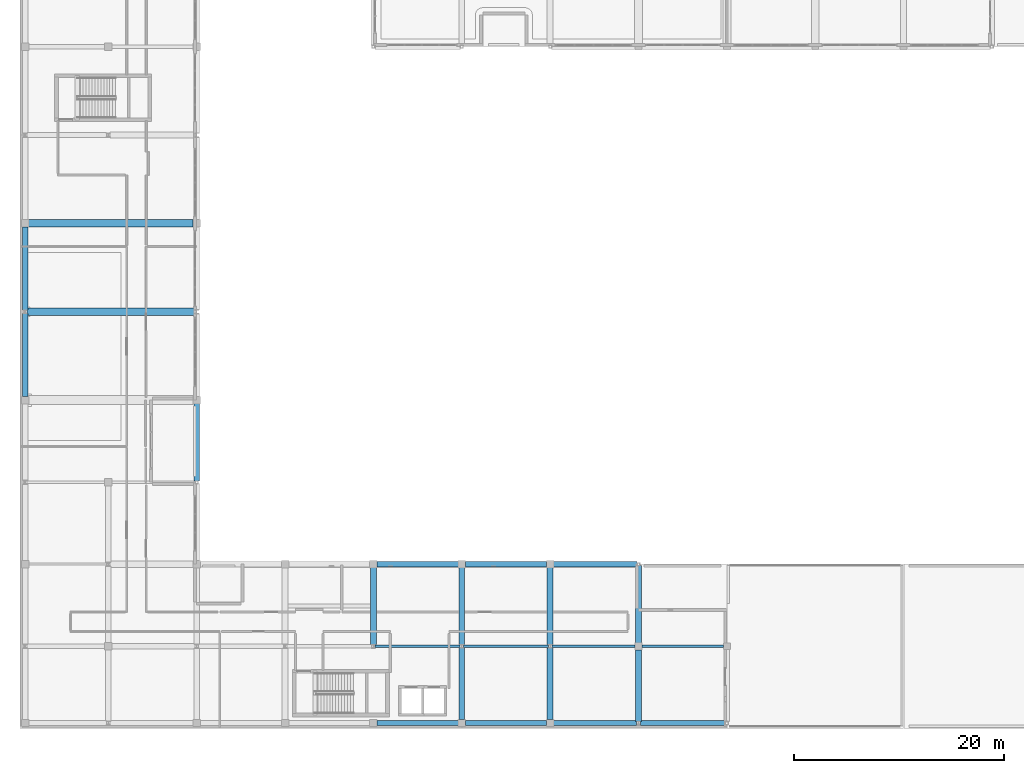
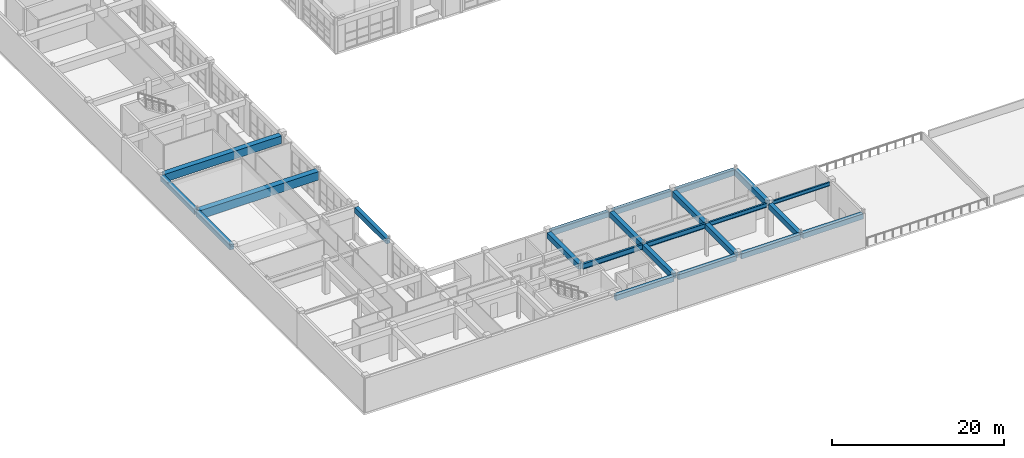
# One storey, part 16 of 78: 23 beams.
"""IFC4 building model written with IfcOpenShell, lengths in metres."""

from ifc_helpers import new_model, si_unit, direction, frame, origin, origin_2d, place, context, subcontext, project, spatial, rectangle, i_section, extrude, material, material_profile, profile_set, type_object, element, save


model = new_model("IFC4")

# Units and contexts
model_context = context("Model", 3, precision=1e-05, world=origin(), true_north=direction((0.0, 1.0)))
body_context = subcontext(model_context, "Body", "Model", "MODEL_VIEW")
ifc_project = project(units=[si_unit("LENGTHUNIT", "METRE"), si_unit("AREAUNIT", "SQUARE_METRE"), si_unit("VOLUMEUNIT", "CUBIC_METRE"), si_unit("PLANEANGLEUNIT", "RADIAN"), si_unit("MASSUNIT", "GRAM", prefix="KILO")], contexts=[model_context])

# Site, building, storey
site_placement = place(None, origin())
site = spatial("IfcSite", under=ifc_project, at=site_placement, CompositionType="ELEMENT")
building_placement = place(site_placement, origin())
building = spatial("IfcBuilding", under=site, at=building_placement, Name="Quendrovan Civic Courthouse", CompositionType="ELEMENT")
storey_placement = place(building_placement, frame((0.0, 0.0, 10.199951171875)))
storey = spatial("IfcBuildingStorey", under=building, at=storey_placement, Name="L03", CompositionType="ELEMENT", Elevation=10.199951171875)

# Beams
ifc_material_1 = material(Name="Post-tensioned concrete C50/60", Category="concrete")
ifc_material_profile_1 = material_profile(ifc_material_1, rectangle(XDim=0.699951171875, YDim=1.10009765625, at=origin_2d()), Name="PT-GIRD-700x1100")
ifc_profile_set_1 = profile_set([ifc_material_profile_1], Name="Post-tensioned concrete C50/60")
beam_type_1 = type_object("IfcBeamType", Name="BM-PT1100", PredefinedType="BEAM", material=ifc_profile_set_1)
beam_1_placement = place(storey_placement, frame((0.830078125, 48.0, 4.110107421875), z_axis=(1.0, 0.0, 0.0), x_axis=(0.0, 1.0, 0.0)))
element("IfcBeam", 1, at=beam_1_placement, inside=storey, type_object=beam_type_1, Name="L03 Girder X0741", PredefinedType="BEAM", context=body_context, shape_type="SweptSolid", body=[
    extrude(rectangle(XDim=0.699951171875, YDim=1.10009765625, at=origin_2d()), origin(), (0.0, 0.0, 1.0), 15.639892578125),
])
ifc_material_profile_2 = material_profile(ifc_material_1, rectangle(XDim=0.75, YDim=1.199951171875, at=origin_2d()), Name="PT-GIRD-750x1200")
ifc_profile_set_2 = profile_set([ifc_material_profile_2], Name="Post-tensioned concrete C50/60")
beam_type_2 = type_object("IfcBeamType", Name="BM-PT1200", PredefinedType="BEAM", material=ifc_profile_set_2)
beam_2_placement = place(storey_placement, frame((0.6669921875, 39.60009765625, 4.06005859375), z_axis=(1.0, 0.0, 0.0), x_axis=(0.0, 1.0, 0.0)))
element("IfcBeam", 2, at=beam_2_placement, inside=storey, type_object=beam_type_2, Name="L03 Girder X0740", PredefinedType="BEAM", context=body_context, shape_type="SweptSolid", body=[
    extrude(rectangle(XDim=0.75, YDim=1.199951171875, at=origin_2d()), origin(), (0.0, 0.0, 1.0), 15.966064453125),
])
ifc_material_2 = material(Name="Concrete C40/50", Category="concrete")
ifc_material_profile_3 = material_profile(ifc_material_2, rectangle(XDim=0.5, YDim=0.75, at=origin_2d()), Name="RC-BM-500x750")
ifc_profile_set_3 = profile_set([ifc_material_profile_3], Name="Concrete C40/50")
beam_type_3 = type_object("IfcBeamType", Name="BM-RC750", PredefinedType="SPANDREL", material=ifc_profile_set_3)
for number, where, z_axis, x_axis, name in (
    (3, (33.929931640625, 0.5, 4.28515625), (1.0, 0.0, 0.0), (0.0, 1.0, 0.0), "L03 Girder X0718"),
    (4, (42.330078125, 0.5, 4.28515625), (1.0, 0.0, 0.0), (0.0, 1.0, 0.0), "L03 Girder X0719"),
):
    element("IfcBeam", number, at=place(storey_placement, frame(where, z_axis=z_axis, x_axis=x_axis)), inside=storey, type_object=beam_type_3, Name=name, PredefinedType="SPANDREL", context=body_context, shape_type="SweptSolid", body=[
        extrude(rectangle(XDim=0.5, YDim=0.75, at=origin_2d()), origin(), (0.0, 0.0, 1.0), 7.739990234375),
    ])
beam_3_placement = place(storey_placement, frame((50.72998046875, 0.5, 4.28515625), z_axis=(1.0, 0.0, 0.0), x_axis=(0.0, 1.0, 0.0)))
element("IfcBeam", 5, at=beam_3_placement, inside=storey, type_object=beam_type_3, Name="L03 Girder X0720", PredefinedType="SPANDREL", context=body_context, shape_type="SweptSolid", body=[
    extrude(rectangle(XDim=0.5, YDim=0.75, at=origin_2d()), origin(), (0.0, 0.0, 1.0), 7.903076171875),
])
beam_4_placement = place(storey_placement, frame((58.967041015625, 0.5, 4.28515625), z_axis=(1.0, 0.0, 0.0), x_axis=(0.0, 1.0, 0.0)))
element("IfcBeam", 6, at=beam_4_placement, inside=storey, type_object=beam_type_3, Name="L03 Girder X0721", PredefinedType="SPANDREL", context=body_context, shape_type="SweptSolid", body=[
    extrude(rectangle(XDim=0.5, YDim=0.75, at=origin_2d()), origin(), (0.0, 0.0, 1.0), 8.10302734375),
])
for number, where, z_axis, x_axis, name in (
    (7, (33.929931640625, 15.60009765625, 4.28515625), (1.0, 0.0, 0.0), (0.0, 1.0, 0.0), "L03 Girder X0734"),
    (8, (42.330078125, 15.60009765625, 4.28515625), (1.0, 0.0, 0.0), (0.0, 1.0, 0.0), "L03 Girder X0735"),
):
    element("IfcBeam", number, at=place(storey_placement, frame(where, z_axis=z_axis, x_axis=x_axis)), inside=storey, type_object=beam_type_3, Name=name, PredefinedType="SPANDREL", context=body_context, shape_type="SweptSolid", body=[
        extrude(rectangle(XDim=0.5, YDim=0.75, at=origin_2d()), origin(), (0.0, 0.0, 1.0), 7.739990234375),
    ])
beam_5_placement = place(storey_placement, frame((50.72998046875, 15.60009765625, 4.28515625), z_axis=(1.0, 0.0, 0.0), x_axis=(0.0, 1.0, 0.0)))
element("IfcBeam", 9, at=beam_5_placement, inside=storey, type_object=beam_type_3, Name="L03 Girder X0736", PredefinedType="SPANDREL", context=body_context, shape_type="SweptSolid", body=[
    extrude(rectangle(XDim=0.5, YDim=0.75, at=origin_2d()), origin(), (0.0, 0.0, 1.0), 7.93994140625),
])
beam_6_placement = place(storey_placement, frame((0.5, 31.530029296875, 4.28515625), z_axis=(0.0, 1.0, 0.0), x_axis=(-1.0, 0.0, 0.0)))
element("IfcBeam", 10, at=beam_6_placement, inside=storey, type_object=beam_type_3, Name="L03 Girder Y0797", PredefinedType="SPANDREL", context=body_context, shape_type="SweptSolid", body=[
    extrude(rectangle(XDim=0.5, YDim=0.75, at=origin_2d()), origin(), (0.0, 0.0, 1.0), 7.904052734375),
])
beam_7_placement = place(storey_placement, frame((0.5, 39.76611328125, 4.28515625), z_axis=(0.0, 1.0, 0.0), x_axis=(-1.0, 0.0, 0.0)))
element("IfcBeam", 11, at=beam_7_placement, inside=storey, type_object=beam_type_3, Name="L03 Girder Y0798", PredefinedType="SPANDREL", context=body_context, shape_type="SweptSolid", body=[
    extrude(rectangle(XDim=0.5, YDim=0.75, at=origin_2d()), origin(), (0.0, 0.0, 1.0), 7.90380859375),
])
beam_8_placement = place(storey_placement, frame((16.800048828125, 23.530029296875, 4.28515625), z_axis=(0.0, 1.0, 0.0), x_axis=(-1.0, 0.0, 0.0)))
element("IfcBeam", 12, at=beam_8_placement, inside=storey, type_object=beam_type_3, Name="L03 Girder Y0811", PredefinedType="SPANDREL", context=body_context, shape_type="SweptSolid", body=[
    extrude(rectangle(XDim=0.5, YDim=0.75, at=origin_2d()), origin(), (0.0, 0.0, 1.0), 7.340087890625),
])
ifc_material_profile_4 = material_profile(ifc_material_2, rectangle(XDim=0.550048828125, YDim=0.800048828125, at=origin_2d()), Name="RC-BM-550x800")
ifc_profile_set_4 = profile_set([ifc_material_profile_4], Name="Concrete C40/50")
beam_type_4 = type_object("IfcBeamType", Name="BM-RC800", PredefinedType="BEAM", material=ifc_profile_set_4)
beam_9_placement = place(storey_placement, frame((33.60009765625, 7.966064453125, 4.260009765625), z_axis=(0.0, 1.0, 0.0), x_axis=(-1.0, 0.0, 0.0)))
element("IfcBeam", 13, at=beam_9_placement, inside=storey, type_object=beam_type_4, Name="L03 Girder Y0821", PredefinedType="BEAM", context=body_context, shape_type="SweptSolid", body=[
    extrude(rectangle(XDim=0.550048828125, YDim=0.800048828125, at=origin_2d()), origin(), (0.0, 0.0, 1.0), 7.303955078125),
])
beam_10_placement = place(storey_placement, frame((42.0, 0.830078125, 4.260009765625), z_axis=(0.0, 1.0, 0.0), x_axis=(-1.0, 0.0, 0.0)))
element("IfcBeam", 14, at=beam_10_placement, inside=storey, type_object=beam_type_4, Name="L03 Girder Y0828", PredefinedType="BEAM", context=body_context, shape_type="SweptSolid", body=[
    extrude(rectangle(XDim=0.550048828125, YDim=0.800048828125, at=origin_2d()), origin(), (0.0, 0.0, 1.0), 6.803955078125),
])
beam_11_placement = place(storey_placement, frame((42.0, 7.966064453125, 4.260009765625), z_axis=(0.0, 1.0, 0.0), x_axis=(-1.0, 0.0, 0.0)))
element("IfcBeam", 15, at=beam_11_placement, inside=storey, type_object=beam_type_4, Name="L03 Girder Y0829", PredefinedType="BEAM", context=body_context, shape_type="SweptSolid", body=[
    extrude(rectangle(XDim=0.550048828125, YDim=0.800048828125, at=origin_2d()), origin(), (0.0, 0.0, 1.0), 7.303955078125),
])
beam_12_placement = place(storey_placement, frame((50.39990234375, 0.830078125, 4.260009765625), z_axis=(0.0, 1.0, 0.0), x_axis=(-1.0, 0.0, 0.0)))
element("IfcBeam", 16, at=beam_12_placement, inside=storey, type_object=beam_type_4, Name="L03 Girder Y0833", PredefinedType="BEAM", context=body_context, shape_type="SweptSolid", body=[
    extrude(rectangle(XDim=0.550048828125, YDim=0.800048828125, at=origin_2d()), origin(), (0.0, 0.0, 1.0), 6.803955078125),
])
beam_13_placement = place(storey_placement, frame((50.39990234375, 7.966064453125, 4.260009765625), z_axis=(0.0, 1.0, 0.0), x_axis=(-1.0, 0.0, 0.0)))
element("IfcBeam", 17, at=beam_13_placement, inside=storey, type_object=beam_type_4, Name="L03 Girder Y0834", PredefinedType="BEAM", context=body_context, shape_type="SweptSolid", body=[
    extrude(rectangle(XDim=0.550048828125, YDim=0.800048828125, at=origin_2d()), origin(), (0.0, 0.0, 1.0), 7.303955078125),
])
beam_14_placement = place(storey_placement, frame((58.800048828125, 0.666015625, 4.260009765625), z_axis=(0.0, 1.0, 0.0), x_axis=(-1.0, 0.0, 0.0)))
element("IfcBeam", 18, at=beam_14_placement, inside=storey, type_object=beam_type_4, Name="L03 Girder Y0840", PredefinedType="BEAM", context=body_context, shape_type="SweptSolid", body=[
    extrude(rectangle(XDim=0.550048828125, YDim=0.800048828125, at=origin_2d()), origin(), (0.0, 0.0, 1.0), 6.803955078125),
])
beam_15_placement = place(storey_placement, frame((58.800048828125, 8.1298828125, 4.260009765625), z_axis=(0.0, 1.0, 0.0), x_axis=(-1.0, 0.0, 0.0)))
element("IfcBeam", 19, at=beam_15_placement, inside=storey, type_object=beam_type_4, Name="L03 Girder Y0841", PredefinedType="BEAM", context=body_context, shape_type="SweptSolid", body=[
    extrude(rectangle(XDim=0.550048828125, YDim=0.800048828125, at=origin_2d()), origin(), (0.0, 0.0, 1.0), 7.340087890625),
])
ifc_material_3 = material(Name="Steel ASTM A992 Grade 50", Category="steel")
ifc_material_profile_5 = material_profile(ifc_material_3, i_section(OverallWidth=0.208984375, OverallDepth=0.532958984375, WebThickness=0.01025390625, FlangeThickness=0.015625, at=origin_2d()), Name="W21X62")
ifc_profile_set_5 = profile_set([ifc_material_profile_5], Name="Steel ASTM A992 Grade 50")
beam_type_5 = type_object("IfcBeamType", Name="BM-STL-W21", PredefinedType="JOIST", material=ifc_profile_set_5)
beam_16_placement = place(storey_placement, frame((59.1298828125, 7.800048828125, 4.3935546875), z_axis=(1.0, 0.0, 0.0), x_axis=(0.0, 1.0, 0.0)))
element("IfcBeam", 20, at=beam_16_placement, inside=storey, type_object=beam_type_5, Name="L03 Girder X0729", PredefinedType="JOIST", context=body_context, shape_type="SweptSolid", body=[
    extrude(i_section(OverallWidth=0.208984375, OverallDepth=0.532958984375, WebThickness=0.01025390625, FlangeThickness=0.015625, at=origin_2d()), origin(), (0.0, 0.0, 1.0), 7.76513671875),
])
ifc_material_profile_6 = material_profile(ifc_material_3, i_section(OverallWidth=0.22802734375, OverallDepth=0.60693359375, WebThickness=0.01123046875, FlangeThickness=0.017333984375, at=origin_2d()), Name="W24X76")
ifc_profile_set_6 = profile_set([ifc_material_profile_6], Name="Steel ASTM A992 Grade 50")
beam_type_6 = type_object("IfcBeamType", Name="BM-STL-W24", PredefinedType="BEAM", material=ifc_profile_set_6)
beam_17_placement = place(storey_placement, frame((50.56689453125, 7.800048828125, 4.3564453125), z_axis=(1.0, 0.0, 0.0), x_axis=(0.0, 1.0, 0.0)))
element("IfcBeam", 21, at=beam_17_placement, inside=storey, type_object=beam_type_6, Name="L03 Girder X0728", PredefinedType="BEAM", context=body_context, shape_type="SweptSolid", body=[
    extrude(i_section(OverallWidth=0.22802734375, OverallDepth=0.60693359375, WebThickness=0.01123046875, FlangeThickness=0.017333984375, at=origin_2d()), origin(), (0.0, 0.0, 1.0), 7.903076171875),
])
ifc_material_profile_7 = material_profile(ifc_material_3, i_section(OverallWidth=0.25390625, OverallDepth=0.68408203125, WebThickness=0.012451171875, FlangeThickness=0.018798828125, at=origin_2d()), Name="W27X94")
ifc_profile_set_7 = profile_set([ifc_material_profile_7], Name="Steel ASTM A992 Grade 50")
beam_type_7 = type_object("IfcBeamType", Name="BM-STL-W27", PredefinedType="BEAM", material=ifc_profile_set_7)
beam_18_placement = place(storey_placement, frame((42.1669921875, 7.800048828125, 4.318115234375), z_axis=(1.0, 0.0, 0.0), x_axis=(0.0, 1.0, 0.0)))
element("IfcBeam", 22, at=beam_18_placement, inside=storey, type_object=beam_type_7, Name="L03 Girder X0727", PredefinedType="BEAM", context=body_context, shape_type="SweptSolid", body=[
    extrude(i_section(OverallWidth=0.25390625, OverallDepth=0.68408203125, WebThickness=0.012451171875, FlangeThickness=0.018798828125, at=origin_2d()), origin(), (0.0, 0.0, 1.0), 8.06591796875),
])
ifc_material_profile_8 = material_profile(ifc_material_3, i_section(OverallWidth=0.26611328125, OverallDepth=0.758056640625, WebThickness=0.013916015625, FlangeThickness=0.019287109375, at=origin_2d()), Name="W30X108")
ifc_profile_set_8 = profile_set([ifc_material_profile_8], Name="Steel ASTM A992 Grade 50")
beam_type_8 = type_object("IfcBeamType", Name="BM-STL-W30", PredefinedType="BEAM", material=ifc_profile_set_8)
beam_19_placement = place(storey_placement, frame((33.76708984375, 7.800048828125, 4.281005859375), z_axis=(1.0, 0.0, 0.0), x_axis=(0.0, 1.0, 0.0)))
element("IfcBeam", 23, at=beam_19_placement, inside=storey, type_object=beam_type_8, Name="L03 Girder X0726", PredefinedType="BEAM", context=body_context, shape_type="SweptSolid", body=[
    extrude(i_section(OverallWidth=0.26611328125, OverallDepth=0.758056640625, WebThickness=0.013916015625, FlangeThickness=0.019287109375, at=origin_2d()), origin(), (0.0, 0.0, 1.0), 8.06591796875),
])

save(model, "model.ifc")
